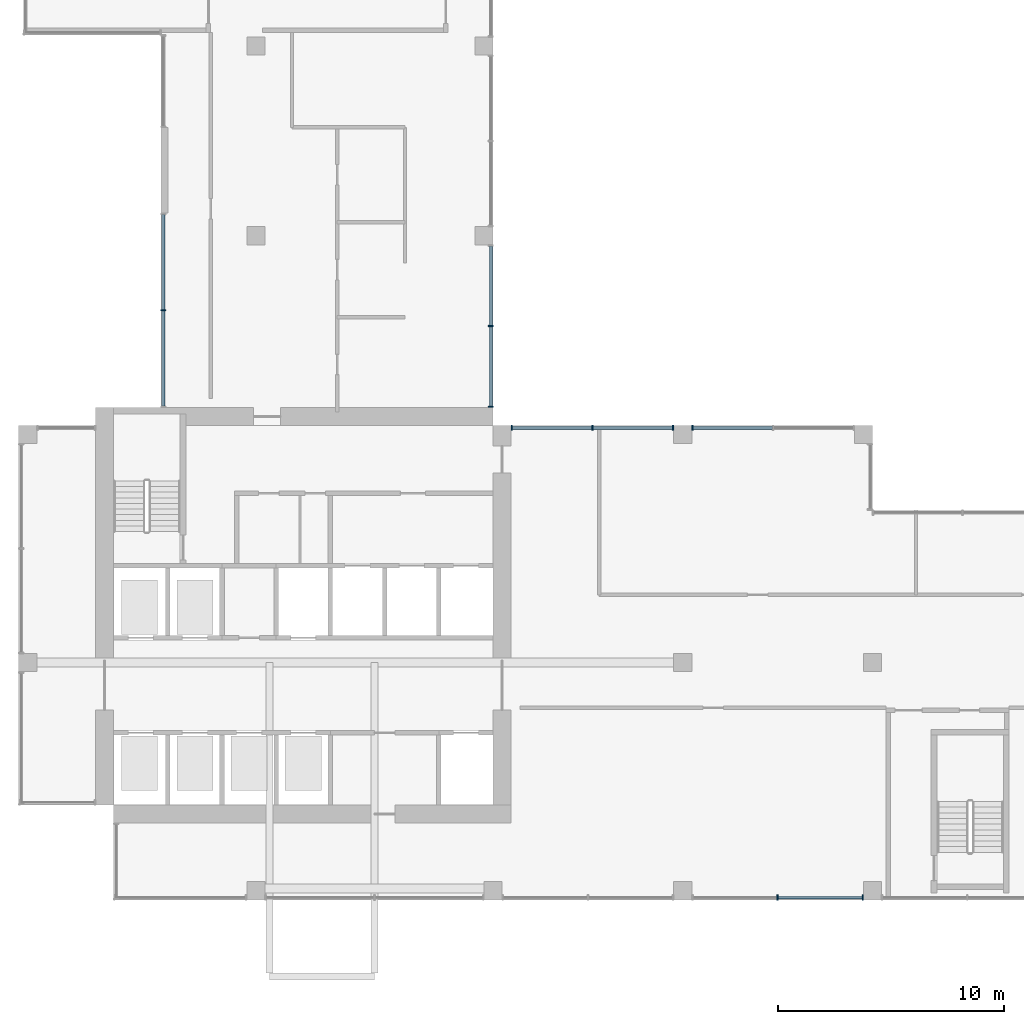
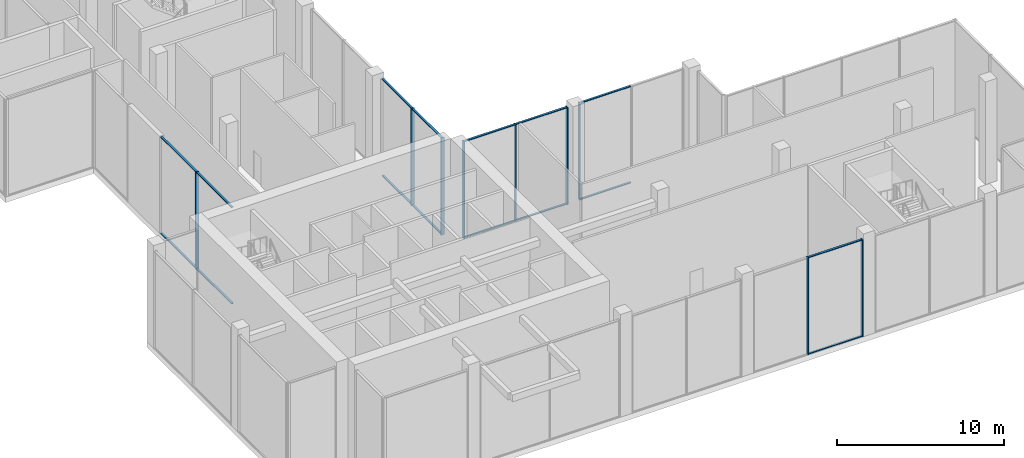
# One storey, part 3 of 13: 25 members, 5 elements without a shape of their own.
"""IFC4 building model written with IfcOpenShell, lengths in metres."""

from ifc_helpers import new_model, si_unit, direction, frame, origin, origin_2d, place, context, subcontext, project, spatial, rectangle, extrude, source, transform, mapped, material, layer, layer_set, material_profile, profile_set, type_object, element, aggregate, save


model = new_model("IFC4")

# Units and contexts
model_context = context("Model", 3, precision=1e-05, world=origin(), true_north=direction((0.0, 1.0)))
body_context = subcontext(model_context, "Body", "Model", "MODEL_VIEW")
ifc_project = project(units=[si_unit("LENGTHUNIT", "METRE"), si_unit("AREAUNIT", "SQUARE_METRE"), si_unit("VOLUMEUNIT", "CUBIC_METRE"), si_unit("PLANEANGLEUNIT", "RADIAN"), si_unit("MASSUNIT", "GRAM", prefix="KILO")], contexts=[model_context])

# Site, building, storey
site_placement = place(None, origin())
site = spatial("IfcSite", under=ifc_project, at=site_placement, CompositionType="ELEMENT")
building_placement = place(site_placement, origin())
building = spatial("IfcBuilding", under=site, at=building_placement, Name="Aurelian Terraces", CompositionType="ELEMENT")
storey_placement = place(building_placement, frame((0.0, 0.0, 277.0)))
storey = spatial("IfcBuildingStorey", under=building, at=storey_placement, Name="L63", CompositionType="ELEMENT", Elevation=277.0)

# Curtain wall, member
ifc_material_1 = material(Name="Anodised aluminium and clear glazing", Category="aluminium")
ifc_layer = layer(ifc_material_1, 0.2)
ifc_layer_set = layer_set([ifc_layer], Name="Lobby glazing curtain wall")
curtain_wall_type = type_object("IfcCurtainWallType", Name="Lobby glazing curtain wall", PredefinedType="NOTDEFINED", material=ifc_layer_set)
curtain_wall_1_placement = place(storey_placement, origin())
curtain_wall_1 = element("IfcCurtainWall", 1, at=curtain_wall_1_placement, inside=storey, type_object=curtain_wall_type, Name="Lobby glazing L63 F16.3", PredefinedType="NOTDEFINED")
ifc_material_2 = material(Name="Anodised aluminium", Category="aluminium")
ifc_material_profile_1 = material_profile(ifc_material_2, rectangle(XDim=0.14, YDim=0.06, at=origin_2d()))
ifc_profile_set_1 = profile_set([ifc_material_profile_1], Name="Anodised aluminium")
member_type_1 = type_object("IfcMemberType", Name="Lobby glazing transom", PredefinedType="USERDEFINED", material=ifc_profile_set_1)
member_1_placement = place(storey_placement, frame((6.4, 30.34, 0.03), z_axis=(0.0, -1.0, 0.0), x_axis=(1.0, 0.0, 0.0)))
member_1 = element("IfcMember", 2, at=member_1_placement, type_object=member_type_1, Name="CW2 transom 1.1", ObjectType="TRANSOM", PredefinedType="USERDEFINED", context=body_context, shape_type="SweptSolid", body=[
    extrude(rectangle(XDim=0.14, YDim=0.06, at=origin_2d()), origin(), (0.0, 0.0, 1.0), 4.21),
])

# Curtain wall, members
curtain_wall_2_placement = place(storey_placement, origin())
curtain_wall_2 = element("IfcCurtainWall", 3, at=curtain_wall_2_placement, inside=storey, type_object=curtain_wall_type, Name="Lobby glazing L63 F01.4", PredefinedType="NOTDEFINED")
ifc_material_profile_2 = material_profile(ifc_material_2, rectangle(XDim=0.24, YDim=0.06, at=origin_2d()))
ifc_profile_set_2 = profile_set([ifc_material_profile_2], Name="Anodised aluminium")
member_type_2 = type_object("IfcMemberType", Name="Lobby glazing mullion", PredefinedType="MULLION", material=ifc_profile_set_2)
shared_shape_1 = source(origin(), body_context, "Body", "SweptSolid", [
    extrude(rectangle(XDim=0.24, YDim=0.06, at=origin_2d()), origin(), (0.0, 0.0, 1.0), 7.1),
])
member_2_placement = place(storey_placement, frame((33.6, 0.1, 0.0), z_axis=(0.0, 0.0, 1.0), x_axis=(0.0, 1.0, 0.0)))
member_2 = element("IfcMember", 4, at=member_2_placement, type_object=member_type_2, Name="CW2 mullion 2", PredefinedType="MULLION", context=body_context, shape_type="MappedRepresentation", body=[
    mapped(shared_shape_1, transform((0.0, 0.0, 0.0), scale=1.0)),
])
member_3_placement = place(storey_placement, frame((37.37, 0.1, 0.0), z_axis=(0.0, 0.0, 1.0), x_axis=(0.0, 1.0, 0.0)))
member_3 = element("IfcMember", 5, at=member_3_placement, type_object=member_type_2, Name="CW2 mullion 3", PredefinedType="MULLION", context=body_context, shape_type="MappedRepresentation", body=[
    mapped(shared_shape_1, transform((0.0, 0.0, 0.0), scale=1.0)),
])

# Curtain wall, member
curtain_wall_3_placement = place(storey_placement, origin())
curtain_wall_3 = element("IfcCurtainWall", 6, at=curtain_wall_3_placement, inside=storey, type_object=curtain_wall_type, Name="Lobby glazing L63 F07.1", PredefinedType="NOTDEFINED")
member_4_placement = place(storey_placement, frame((29.83, 20.9, 0.0), z_axis=(0.0, 0.0, 1.0), x_axis=(0.0, -1.0, 0.0)))
member_4 = element("IfcMember", 7, at=member_4_placement, type_object=member_type_2, Name="CW2 mullion 3", PredefinedType="MULLION", context=body_context, shape_type="MappedRepresentation", body=[
    mapped(shared_shape_1, transform((0.0, 0.0, 0.0), scale=1.0)),
])

# Curtain wall, members
curtain_wall_4_placement = place(storey_placement, origin())
curtain_wall_4 = element("IfcCurtainWall", 8, at=curtain_wall_4_placement, inside=storey, type_object=curtain_wall_type, Name="Lobby glazing L63 F07.2", PredefinedType="NOTDEFINED")
member_5_placement = place(storey_placement, frame((28.97, 20.9, 0.0), z_axis=(0.0, 0.0, 1.0), x_axis=(0.0, -1.0, 0.0)))
member_5 = element("IfcMember", 9, at=member_5_placement, type_object=member_type_2, Name="CW2 mullion 1", PredefinedType="MULLION", context=body_context, shape_type="MappedRepresentation", body=[
    mapped(shared_shape_1, transform((0.0, 0.0, 0.0), scale=1.0)),
])
member_6_placement = place(storey_placement, frame((25.4, 20.9, 0.0), z_axis=(0.0, 0.0, 1.0), x_axis=(0.0, -1.0, 0.0)))
member_6 = element("IfcMember", 10, at=member_6_placement, type_object=member_type_2, Name="CW2 mullion 2", PredefinedType="MULLION", context=body_context, shape_type="MappedRepresentation", body=[
    mapped(shared_shape_1, transform((0.0, 0.0, 0.0), scale=1.0)),
])
member_7_placement = place(storey_placement, frame((21.83, 20.9, 0.0), z_axis=(0.0, 0.0, 1.0), x_axis=(0.0, -1.0, 0.0)))
member_7 = element("IfcMember", 11, at=member_7_placement, type_object=member_type_2, Name="CW2 mullion 3", PredefinedType="MULLION", context=body_context, shape_type="MappedRepresentation", body=[
    mapped(shared_shape_1, transform((0.0, 0.0, 0.0), scale=1.0)),
])

curtain_wall_5_placement = place(storey_placement, origin())
curtain_wall_5 = element("IfcCurtainWall", 12, at=curtain_wall_5_placement, inside=storey, type_object=curtain_wall_type, Name="Lobby glazing L63 F08.1", PredefinedType="NOTDEFINED")
member_8_placement = place(storey_placement, frame((20.9, 21.83, 0.0), z_axis=(0.0, 0.0, 1.0), x_axis=(-1.0, 0.0, 0.0)))
member_8 = element("IfcMember", 13, at=member_8_placement, type_object=member_type_2, Name="CW2 mullion 1", PredefinedType="MULLION", context=body_context, shape_type="MappedRepresentation", body=[
    mapped(shared_shape_1, transform((0.0, 0.0, 0.0), scale=1.0)),
])
member_9_placement = place(storey_placement, frame((20.9, 25.4, 0.0), z_axis=(0.0, 0.0, 1.0), x_axis=(-1.0, 0.0, 0.0)))
member_9 = element("IfcMember", 14, at=member_9_placement, type_object=member_type_2, Name="CW2 mullion 2", PredefinedType="MULLION", context=body_context, shape_type="MappedRepresentation", body=[
    mapped(shared_shape_1, transform((0.0, 0.0, 0.0), scale=1.0)),
])

# Member
member_10_placement = place(storey_placement, frame((6.4, 26.1, 0.0), z_axis=(0.0, 0.0, 1.0), x_axis=(1.0, 0.0, 0.0)))
member_10 = element("IfcMember", 15, at=member_10_placement, type_object=member_type_2, Name="CW2 mullion 2", PredefinedType="MULLION", context=body_context, shape_type="MappedRepresentation", body=[
    mapped(shared_shape_1, transform((0.0, 0.0, 0.0), scale=1.0)),
])

shared_shape_2 = source(origin(), body_context, "Body", "SweptSolid", [
    extrude(rectangle(XDim=0.14, YDim=0.06, at=origin_2d()), origin(), (0.0, 0.0, 1.0), 3.71),
])
member_11_placement = place(storey_placement, frame((33.63, 0.1, 0.03), z_axis=(1.0, 0.0, 0.0), x_axis=(0.0, 1.0, 0.0)))
member_11 = element("IfcMember", 16, at=member_11_placement, type_object=member_type_1, Name="CW2 transom 2.1", ObjectType="TRANSOM", PredefinedType="USERDEFINED", context=body_context, shape_type="MappedRepresentation", body=[
    mapped(shared_shape_2, transform((0.0, 0.0, 0.0), scale=1.0)),
])

member_12_placement = place(storey_placement, frame((33.63, 0.1, 7.07), z_axis=(1.0, 0.0, 0.0), x_axis=(0.0, 1.0, 0.0)))
member_12 = element("IfcMember", 17, at=member_12_placement, type_object=member_type_1, Name="CW2 transom 2.2", ObjectType="TRANSOM", PredefinedType="USERDEFINED", context=body_context, shape_type="MappedRepresentation", body=[
    mapped(shared_shape_2, transform((0.0, 0.0, 0.0), scale=1.0)),
])

aggregate(curtain_wall_2, [member_2, member_3, member_11, member_12])

shared_shape_3 = source(origin(), body_context, "Body", "SweptSolid", [
    extrude(rectangle(XDim=0.14, YDim=0.06, at=origin_2d()), origin(), (0.0, 0.0, 1.0), 3.51),
])
member_13_placement = place(storey_placement, frame((33.37, 20.9, 0.03), z_axis=(-1.0, 0.0, 0.0), x_axis=(0.0, -1.0, 0.0)))
member_13 = element("IfcMember", 18, at=member_13_placement, type_object=member_type_1, Name="CW2 transom 2.1", ObjectType="TRANSOM", PredefinedType="USERDEFINED", context=body_context, shape_type="MappedRepresentation", body=[
    mapped(shared_shape_3, transform((0.0, 0.0, 0.0), scale=1.0)),
])

member_14_placement = place(storey_placement, frame((33.37, 20.9, 7.07), z_axis=(-1.0, 0.0, 0.0), x_axis=(0.0, -1.0, 0.0)))
member_14 = element("IfcMember", 19, at=member_14_placement, type_object=member_type_1, Name="CW2 transom 2.2", ObjectType="TRANSOM", PredefinedType="USERDEFINED", context=body_context, shape_type="MappedRepresentation", body=[
    mapped(shared_shape_3, transform((0.0, 0.0, 0.0), scale=1.0)),
])

aggregate(curtain_wall_3, [member_4, member_13, member_14])

member_15_placement = place(storey_placement, frame((28.94, 20.9, 0.03), z_axis=(-1.0, 0.0, 0.0), x_axis=(0.0, -1.0, 0.0)))
member_15 = element("IfcMember", 20, at=member_15_placement, type_object=member_type_1, Name="CW2 transom 1.1", ObjectType="TRANSOM", PredefinedType="USERDEFINED", context=body_context, shape_type="MappedRepresentation", body=[
    mapped(shared_shape_3, transform((0.0, 0.0, 0.0), scale=1.0)),
])

member_16_placement = place(storey_placement, frame((28.94, 20.9, 7.07), z_axis=(-1.0, 0.0, 0.0), x_axis=(0.0, -1.0, 0.0)))
member_16 = element("IfcMember", 21, at=member_16_placement, type_object=member_type_1, Name="CW2 transom 1.2", ObjectType="TRANSOM", PredefinedType="USERDEFINED", context=body_context, shape_type="MappedRepresentation", body=[
    mapped(shared_shape_3, transform((0.0, 0.0, 0.0), scale=1.0)),
])

member_17_placement = place(storey_placement, frame((25.37, 20.9, 0.03), z_axis=(-1.0, 0.0, 0.0), x_axis=(0.0, -1.0, 0.0)))
member_17 = element("IfcMember", 22, at=member_17_placement, type_object=member_type_1, Name="CW2 transom 2.1", ObjectType="TRANSOM", PredefinedType="USERDEFINED", context=body_context, shape_type="MappedRepresentation", body=[
    mapped(shared_shape_3, transform((0.0, 0.0, 0.0), scale=1.0)),
])

member_18_placement = place(storey_placement, frame((25.37, 20.9, 7.07), z_axis=(-1.0, 0.0, 0.0), x_axis=(0.0, -1.0, 0.0)))
member_18 = element("IfcMember", 23, at=member_18_placement, type_object=member_type_1, Name="CW2 transom 2.2", ObjectType="TRANSOM", PredefinedType="USERDEFINED", context=body_context, shape_type="MappedRepresentation", body=[
    mapped(shared_shape_3, transform((0.0, 0.0, 0.0), scale=1.0)),
])

aggregate(curtain_wall_4, [member_5, member_6, member_7, member_15, member_16, member_17, member_18])

member_19_placement = place(storey_placement, frame((20.9, 21.86, 0.03), z_axis=(0.0, 1.0, 0.0), x_axis=(-1.0, 0.0, 0.0)))
member_19 = element("IfcMember", 24, at=member_19_placement, type_object=member_type_1, Name="CW2 transom 1.1", ObjectType="TRANSOM", PredefinedType="USERDEFINED", context=body_context, shape_type="MappedRepresentation", body=[
    mapped(shared_shape_3, transform((0.0, 0.0, 0.0), scale=1.0)),
])

member_20_placement = place(storey_placement, frame((20.9, 21.86, 7.07), z_axis=(0.0, 1.0, 0.0), x_axis=(-1.0, 0.0, 0.0)))
member_20 = element("IfcMember", 25, at=member_20_placement, type_object=member_type_1, Name="CW2 transom 1.2", ObjectType="TRANSOM", PredefinedType="USERDEFINED", context=body_context, shape_type="MappedRepresentation", body=[
    mapped(shared_shape_3, transform((0.0, 0.0, 0.0), scale=1.0)),
])

member_21_placement = place(storey_placement, frame((20.9, 25.43, 0.03), z_axis=(0.0, 1.0, 0.0), x_axis=(-1.0, 0.0, 0.0)))
member_21 = element("IfcMember", 26, at=member_21_placement, type_object=member_type_1, Name="CW2 transom 2.1", ObjectType="TRANSOM", PredefinedType="USERDEFINED", context=body_context, shape_type="MappedRepresentation", body=[
    mapped(shared_shape_3, transform((0.0, 0.0, 0.0), scale=1.0)),
])

member_22_placement = place(storey_placement, frame((20.9, 25.43, 7.07), z_axis=(0.0, 1.0, 0.0), x_axis=(-1.0, 0.0, 0.0)))
member_22 = element("IfcMember", 27, at=member_22_placement, type_object=member_type_1, Name="CW2 transom 2.2", ObjectType="TRANSOM", PredefinedType="USERDEFINED", context=body_context, shape_type="MappedRepresentation", body=[
    mapped(shared_shape_3, transform((0.0, 0.0, 0.0), scale=1.0)),
])

aggregate(curtain_wall_5, [member_8, member_9, member_19, member_20, member_21, member_22])

shared_shape_4 = source(origin(), body_context, "Body", "SweptSolid", [
    extrude(rectangle(XDim=0.14, YDim=0.06, at=origin_2d()), origin(), (0.0, 0.0, 1.0), 4.21),
])
member_23_placement = place(storey_placement, frame((6.4, 30.34, 7.07), z_axis=(0.0, -1.0, 0.0), x_axis=(1.0, 0.0, 0.0)))
member_23 = element("IfcMember", 28, at=member_23_placement, type_object=member_type_1, Name="CW2 transom 1.2", ObjectType="TRANSOM", PredefinedType="USERDEFINED", context=body_context, shape_type="MappedRepresentation", body=[
    mapped(shared_shape_4, transform((0.0, 0.0, 0.0), scale=1.0)),
])

member_24_placement = place(storey_placement, frame((6.4, 26.07, 0.03), z_axis=(0.0, -1.0, 0.0), x_axis=(1.0, 0.0, 0.0)))
member_24 = element("IfcMember", 29, at=member_24_placement, type_object=member_type_1, Name="CW2 transom 2.1", ObjectType="TRANSOM", PredefinedType="USERDEFINED", context=body_context, shape_type="MappedRepresentation", body=[
    mapped(shared_shape_4, transform((0.0, 0.0, 0.0), scale=1.0)),
])

member_25_placement = place(storey_placement, frame((6.4, 26.07, 7.07), z_axis=(0.0, -1.0, 0.0), x_axis=(1.0, 0.0, 0.0)))
member_25 = element("IfcMember", 30, at=member_25_placement, type_object=member_type_1, Name="CW2 transom 2.2", ObjectType="TRANSOM", PredefinedType="USERDEFINED", context=body_context, shape_type="MappedRepresentation", body=[
    mapped(shared_shape_4, transform((0.0, 0.0, 0.0), scale=1.0)),
])

aggregate(curtain_wall_1, [member_10, member_1, member_23, member_24, member_25])

save(model, "model.ifc")
